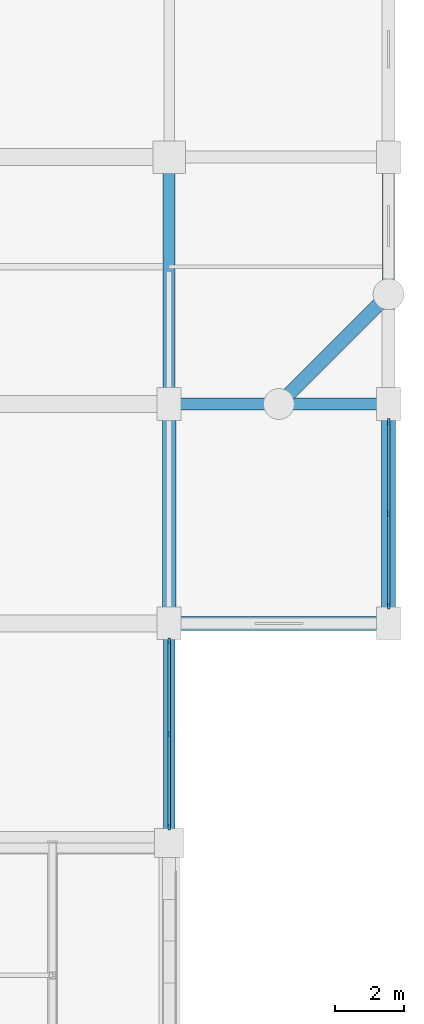
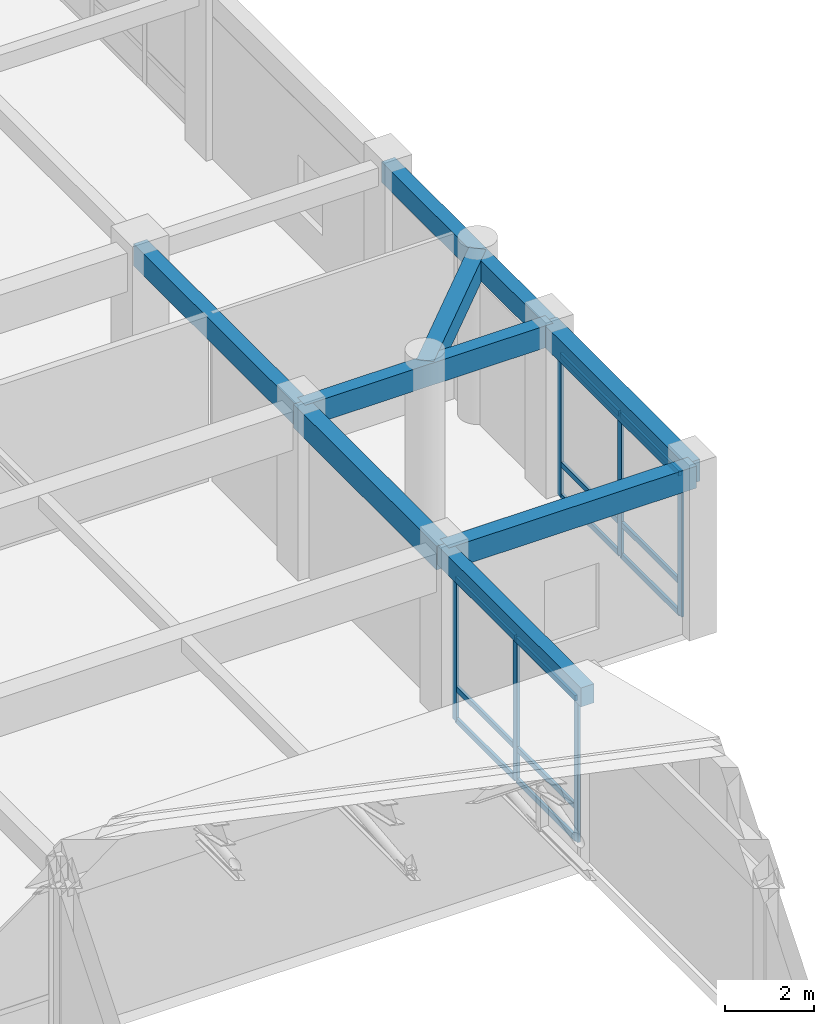
# One storey, part 32 of 61: 18 members, 8 beams, 2 elements without a shape of their own.
"""IFC4 building model written with IfcOpenShell, lengths in metres."""

from ifc_helpers import new_model, si_unit, direction, frame, origin, origin_2d, place, context, subcontext, project, spatial, rectangle, extrude, material, material_profile, profile_set, type_object, element, aggregate, save


model = new_model("IFC4")

# Units and contexts
model_context = context("Model", 3, precision=1e-05, world=origin(), true_north=direction((0.0, 1.0)))
body_context = subcontext(model_context, "Body", "Model", "MODEL_VIEW")
ifc_project = project(units=[si_unit("LENGTHUNIT", "METRE"), si_unit("AREAUNIT", "SQUARE_METRE"), si_unit("VOLUMEUNIT", "CUBIC_METRE"), si_unit("PLANEANGLEUNIT", "RADIAN"), si_unit("MASSUNIT", "GRAM", prefix="KILO")], contexts=[model_context])

# Site, building, storey
site_placement = place(None, origin())
site = spatial("IfcSite", under=ifc_project, at=site_placement, CompositionType="ELEMENT")
building_placement = place(site_placement, origin())
building = spatial("IfcBuilding", under=site, at=building_placement, Name="Vellmiral Cinema and Media Centre", CompositionType="ELEMENT")
storey_placement = place(building_placement, frame((0.0, 0.0, 10.800048828125)))
storey = spatial("IfcBuildingStorey", under=building, at=storey_placement, Name="L02", CompositionType="ELEMENT", Elevation=10.800048828125)

# Beams
ifc_material_1 = material(Name="Concrete C40/50", Category="concrete")
ifc_material_profile_1 = material_profile(ifc_material_1, rectangle(XDim=0.35009765625, YDim=0.60009765625, at=origin_2d()), Name="RC 350x600")
ifc_profile_set_1 = profile_set([ifc_material_profile_1], Name="Concrete C40/50")
beam_type_1 = type_object("IfcBeamType", Name="BM-RC-350x600", PredefinedType="BEAM", material=ifc_profile_set_1)
beam_1_placement = place(storey_placement, frame((161.60009765625, 72.0, 4.195068359375), z_axis=(1.0, 0.0, 0.0), x_axis=(0.0, 1.0, 0.0)))
element("IfcBeam", 1, at=beam_1_placement, inside=storey, type_object=beam_type_1, Name="Grid Beam L02-X046", PredefinedType="BEAM", context=body_context, shape_type="SweptSolid", body=[
    extrude(rectangle(XDim=0.35009765625, YDim=0.60009765625, at=origin_2d()), origin(), (0.0, 0.0, 1.0), 6.39990234375),
])
beam_2_placement = place(storey_placement, frame((161.60009765625, 72.0, 4.195068359375), z_axis=(0.0, 1.0, 0.0), x_axis=(-1.0, 0.0, 0.0)))
element("IfcBeam", 2, at=beam_2_placement, inside=storey, type_object=beam_type_1, Name="Grid Beam L02-Y188", PredefinedType="BEAM", context=body_context, shape_type="SweptSolid", body=[
    extrude(rectangle(XDim=0.35009765625, YDim=0.60009765625, at=origin_2d()), origin(), (0.0, 0.0, 1.0), 7.199951171875),
])
ifc_material_2 = material(Name="Concrete C40/50", Category="concrete")
ifc_material_profile_2 = material_profile(ifc_material_2, rectangle(XDim=0.39990234375, YDim=0.64990234375, at=origin_2d()), Name="RC 400x650")
ifc_profile_set_2 = profile_set([ifc_material_profile_2], Name="Concrete C40/50")
beam_type_2 = type_object("IfcBeamType", Name="BM-RC-400x650", PredefinedType="BEAM", material=ifc_profile_set_2)
beam_3_placement = place(storey_placement, frame((161.60009765625, 65.60009765625, 4.169921875), z_axis=(0.0, 1.0, 0.0), x_axis=(-1.0, 0.0, 0.0)))
element("IfcBeam", 3, at=beam_3_placement, inside=storey, type_object=beam_type_2, Name="Grid Beam L02-Y187", PredefinedType="BEAM", context=body_context, shape_type="SweptSolid", body=[
    extrude(rectangle(XDim=0.39990234375, YDim=0.64990234375, at=origin_2d()), origin(), (0.0, 0.0, 1.0), 6.39990234375),
])

# Curtain wall, members
ifc_material_3 = material(Name="Thermally Broken Aluminium and Triple Glazing", Category="aluminium")
curtain_wall_type = type_object("IfcCurtainWallType", Name="CW-LIB-BAY", PredefinedType="USERDEFINED", material=ifc_material_3)
curtain_wall_1_placement = place(storey_placement, origin())
curtain_wall_1 = element("IfcCurtainWall", 4, at=curtain_wall_1_placement, inside=storey, type_object=curtain_wall_type, Name="Curtain Wall L02-B041", ObjectType="STICK CURTAIN WALL", PredefinedType="USERDEFINED")
ifc_material_4 = material(Name="Thermally Broken Anodised Aluminium", Category="aluminium")
ifc_material_profile_3 = material_profile(ifc_material_4, rectangle(XDim=0.070068359375, YDim=0.179931640625, at=origin_2d()), Name="MULL 70x180")
ifc_profile_set_3 = profile_set([ifc_material_profile_3], Name="Thermally Broken Anodised Aluminium")
member_type_1 = type_object("IfcMemberType", Name="CWM-70x180", PredefinedType="MULLION", material=ifc_profile_set_3)
member_1_placement = place(storey_placement, frame((161.60009765625, 59.659912109375, 0.0), z_axis=(0.0, 0.0, 1.0), x_axis=(-1.0, 0.0, 0.0)))
member_1 = element("IfcMember", 5, at=member_1_placement, type_object=member_type_1, Name="CW-03 mullion 1", PredefinedType="MULLION", context=body_context, shape_type="SweptSolid", body=[
    extrude(rectangle(XDim=0.070068359375, YDim=0.179931640625, at=origin_2d()), origin(), (0.0, 0.0, 1.0), 3.89990234375),
])
member_2_placement = place(storey_placement, frame((161.60009765625, 62.375, 0.0), z_axis=(0.0, 0.0, 1.0), x_axis=(-1.0, 0.0, 0.0)))
member_2 = element("IfcMember", 6, at=member_2_placement, type_object=member_type_1, Name="CW-03 mullion 2", PredefinedType="MULLION", context=body_context, shape_type="SweptSolid", body=[
    extrude(rectangle(XDim=0.070068359375, YDim=0.179931640625, at=origin_2d()), origin(), (0.0, 0.0, 1.0), 3.89990234375),
])
member_3_placement = place(storey_placement, frame((161.60009765625, 65.090087890625, 0.0), z_axis=(0.0, 0.0, 1.0), x_axis=(-1.0, 0.0, 0.0)))
member_3 = element("IfcMember", 7, at=member_3_placement, type_object=member_type_1, Name="CW-03 mullion 3", PredefinedType="MULLION", context=body_context, shape_type="SweptSolid", body=[
    extrude(rectangle(XDim=0.070068359375, YDim=0.179931640625, at=origin_2d()), origin(), (0.0, 0.0, 1.0), 3.89990234375),
])

curtain_wall_2_placement = place(storey_placement, origin())
curtain_wall_2 = element("IfcCurtainWall", 8, at=curtain_wall_2_placement, inside=storey, type_object=curtain_wall_type, Name="Curtain Wall L02-B043", ObjectType="STICK CURTAIN WALL", PredefinedType="USERDEFINED")
member_4_placement = place(storey_placement, frame((168.0, 66.110107421875, 0.0), z_axis=(0.0, 0.0, 1.0), x_axis=(-1.0, 0.0, 0.0)))
member_4 = element("IfcMember", 9, at=member_4_placement, type_object=member_type_1, Name="CW-03 mullion 1", PredefinedType="MULLION", context=body_context, shape_type="SweptSolid", body=[
    extrude(rectangle(XDim=0.070068359375, YDim=0.179931640625, at=origin_2d()), origin(), (0.0, 0.0, 1.0), 3.885009765625),
])
member_5_placement = place(storey_placement, frame((168.0, 68.800048828125, 0.0), z_axis=(0.0, 0.0, 1.0), x_axis=(-1.0, 0.0, 0.0)))
member_5 = element("IfcMember", 10, at=member_5_placement, type_object=member_type_1, Name="CW-03 mullion 2", PredefinedType="MULLION", context=body_context, shape_type="SweptSolid", body=[
    extrude(rectangle(XDim=0.070068359375, YDim=0.179931640625, at=origin_2d()), origin(), (0.0, 0.0, 1.0), 3.885009765625),
])
member_6_placement = place(storey_placement, frame((168.0, 71.489990234375, 0.0), z_axis=(0.0, 0.0, 1.0), x_axis=(-1.0, 0.0, 0.0)))
member_6 = element("IfcMember", 11, at=member_6_placement, type_object=member_type_1, Name="CW-03 mullion 3", PredefinedType="MULLION", context=body_context, shape_type="SweptSolid", body=[
    extrude(rectangle(XDim=0.070068359375, YDim=0.179931640625, at=origin_2d()), origin(), (0.0, 0.0, 1.0), 3.885009765625),
])

# Member
ifc_material_5 = material(Name="Thermally Broken Anodised Aluminium", Category="aluminium")
ifc_material_profile_4 = material_profile(ifc_material_5, rectangle(XDim=0.070068359375, YDim=0.14990234375, at=origin_2d()), Name="MULL 70x150")
ifc_profile_set_4 = profile_set([ifc_material_profile_4], Name="Thermally Broken Anodised Aluminium")
member_type_2 = type_object("IfcMemberType", Name="CWT-70x150", PredefinedType="USERDEFINED", material=ifc_profile_set_4)
member_7_placement = place(storey_placement, frame((161.60009765625, 59.695068359375, 0.034912109375), z_axis=(0.0, 1.0, 0.0), x_axis=(-1.0, 0.0, 0.0)))
member_7 = element("IfcMember", 12, at=member_7_placement, type_object=member_type_2, Name="CW-03 transom 1.1", ObjectType="TRANSOM", PredefinedType="USERDEFINED", context=body_context, shape_type="SweptSolid", body=[
    extrude(rectangle(XDim=0.070068359375, YDim=0.14990234375, at=origin_2d()), origin(), (0.0, 0.0, 1.0), 2.64501953125),
])

member_8_placement = place(storey_placement, frame((161.60009765625, 59.695068359375, 0.89990234375), z_axis=(0.0, 1.0, 0.0), x_axis=(-1.0, 0.0, 0.0)))
member_8 = element("IfcMember", 13, at=member_8_placement, type_object=member_type_2, Name="CW-03 transom 1.2", ObjectType="TRANSOM", PredefinedType="USERDEFINED", context=body_context, shape_type="SweptSolid", body=[
    extrude(rectangle(XDim=0.070068359375, YDim=0.14990234375, at=origin_2d()), origin(), (0.0, 0.0, 1.0), 2.64501953125),
])

member_9_placement = place(storey_placement, frame((161.60009765625, 59.695068359375, 3.864990234375), z_axis=(0.0, 1.0, 0.0), x_axis=(-1.0, 0.0, 0.0)))
member_9 = element("IfcMember", 14, at=member_9_placement, type_object=member_type_2, Name="CW-03 transom 1.3", ObjectType="TRANSOM", PredefinedType="USERDEFINED", context=body_context, shape_type="SweptSolid", body=[
    extrude(rectangle(XDim=0.070068359375, YDim=0.14990234375, at=origin_2d()), origin(), (0.0, 0.0, 1.0), 2.64501953125),
])

member_10_placement = place(storey_placement, frame((161.60009765625, 62.409912109375, 0.034912109375), z_axis=(0.0, 1.0, 0.0), x_axis=(-1.0, 0.0, 0.0)))
member_10 = element("IfcMember", 15, at=member_10_placement, type_object=member_type_2, Name="CW-03 transom 2.1", ObjectType="TRANSOM", PredefinedType="USERDEFINED", context=body_context, shape_type="SweptSolid", body=[
    extrude(rectangle(XDim=0.070068359375, YDim=0.14990234375, at=origin_2d()), origin(), (0.0, 0.0, 1.0), 2.64501953125),
])

member_11_placement = place(storey_placement, frame((161.60009765625, 62.409912109375, 0.89990234375), z_axis=(0.0, 1.0, 0.0), x_axis=(-1.0, 0.0, 0.0)))
member_11 = element("IfcMember", 16, at=member_11_placement, type_object=member_type_2, Name="CW-03 transom 2.2", ObjectType="TRANSOM", PredefinedType="USERDEFINED", context=body_context, shape_type="SweptSolid", body=[
    extrude(rectangle(XDim=0.070068359375, YDim=0.14990234375, at=origin_2d()), origin(), (0.0, 0.0, 1.0), 2.64501953125),
])

member_12_placement = place(storey_placement, frame((161.60009765625, 62.409912109375, 3.864990234375), z_axis=(0.0, 1.0, 0.0), x_axis=(-1.0, 0.0, 0.0)))
member_12 = element("IfcMember", 17, at=member_12_placement, type_object=member_type_2, Name="CW-03 transom 2.3", ObjectType="TRANSOM", PredefinedType="USERDEFINED", context=body_context, shape_type="SweptSolid", body=[
    extrude(rectangle(XDim=0.070068359375, YDim=0.14990234375, at=origin_2d()), origin(), (0.0, 0.0, 1.0), 2.64501953125),
])

aggregate(curtain_wall_1, [member_1, member_2, member_3, member_7, member_8, member_9, member_10, member_11, member_12])

member_13_placement = place(storey_placement, frame((168.0, 66.14501953125, 0.034912109375), z_axis=(0.0, 1.0, 0.0), x_axis=(-1.0, 0.0, 0.0)))
member_13 = element("IfcMember", 18, at=member_13_placement, type_object=member_type_2, Name="CW-03 transom 1.1", ObjectType="TRANSOM", PredefinedType="USERDEFINED", context=body_context, shape_type="SweptSolid", body=[
    extrude(rectangle(XDim=0.070068359375, YDim=0.14990234375, at=origin_2d()), origin(), (0.0, 0.0, 1.0), 2.619873046875),
])

member_14_placement = place(storey_placement, frame((168.0, 66.14501953125, 0.89990234375), z_axis=(0.0, 1.0, 0.0), x_axis=(-1.0, 0.0, 0.0)))
member_14 = element("IfcMember", 19, at=member_14_placement, type_object=member_type_2, Name="CW-03 transom 1.2", ObjectType="TRANSOM", PredefinedType="USERDEFINED", context=body_context, shape_type="SweptSolid", body=[
    extrude(rectangle(XDim=0.070068359375, YDim=0.14990234375, at=origin_2d()), origin(), (0.0, 0.0, 1.0), 2.619873046875),
])

member_15_placement = place(storey_placement, frame((168.0, 66.14501953125, 3.849853515625), z_axis=(0.0, 1.0, 0.0), x_axis=(-1.0, 0.0, 0.0)))
member_15 = element("IfcMember", 20, at=member_15_placement, type_object=member_type_2, Name="CW-03 transom 1.3", ObjectType="TRANSOM", PredefinedType="USERDEFINED", context=body_context, shape_type="SweptSolid", body=[
    extrude(rectangle(XDim=0.070068359375, YDim=0.14990234375, at=origin_2d()), origin(), (0.0, 0.0, 1.0), 2.619873046875),
])

member_16_placement = place(storey_placement, frame((168.0, 68.8349609375, 0.034912109375), z_axis=(0.0, 1.0, 0.0), x_axis=(-1.0, 0.0, 0.0)))
member_16 = element("IfcMember", 21, at=member_16_placement, type_object=member_type_2, Name="CW-03 transom 2.1", ObjectType="TRANSOM", PredefinedType="USERDEFINED", context=body_context, shape_type="SweptSolid", body=[
    extrude(rectangle(XDim=0.070068359375, YDim=0.14990234375, at=origin_2d()), origin(), (0.0, 0.0, 1.0), 2.6201171875),
])

member_17_placement = place(storey_placement, frame((168.0, 68.8349609375, 0.89990234375), z_axis=(0.0, 1.0, 0.0), x_axis=(-1.0, 0.0, 0.0)))
member_17 = element("IfcMember", 22, at=member_17_placement, type_object=member_type_2, Name="CW-03 transom 2.2", ObjectType="TRANSOM", PredefinedType="USERDEFINED", context=body_context, shape_type="SweptSolid", body=[
    extrude(rectangle(XDim=0.070068359375, YDim=0.14990234375, at=origin_2d()), origin(), (0.0, 0.0, 1.0), 2.6201171875),
])

member_18_placement = place(storey_placement, frame((168.0, 68.8349609375, 3.849853515625), z_axis=(0.0, 1.0, 0.0), x_axis=(-1.0, 0.0, 0.0)))
member_18 = element("IfcMember", 23, at=member_18_placement, type_object=member_type_2, Name="CW-03 transom 2.3", ObjectType="TRANSOM", PredefinedType="USERDEFINED", context=body_context, shape_type="SweptSolid", body=[
    extrude(rectangle(XDim=0.070068359375, YDim=0.14990234375, at=origin_2d()), origin(), (0.0, 0.0, 1.0), 2.6201171875),
])

aggregate(curtain_wall_2, [member_4, member_5, member_6, member_13, member_14, member_15, member_16, member_17, member_18])

# Beams
ifc_material_6 = material(Name="Concrete C40/50", Category="concrete")
ifc_material_profile_5 = material_profile(ifc_material_6, rectangle(XDim=0.35009765625, YDim=0.56005859375, at=origin_2d()), Name="RC 350x560")
ifc_profile_set_5 = profile_set([ifc_material_profile_5], Name="Concrete C40/50")
beam_type_3 = type_object("IfcBeamType", Name="SPD-RC-350x560", PredefinedType="SPANDREL", material=ifc_profile_set_5)
beam_4_placement = place(storey_placement, frame((168.0, 72.0, 4.21484375), z_axis=(0.0, 1.0, 0.0), x_axis=(-1.0, 0.0, 0.0)))
element("IfcBeam", 24, at=beam_4_placement, inside=storey, type_object=beam_type_3, Name="Grid Beam L02-Y194", PredefinedType="SPANDREL", context=body_context, shape_type="SweptSolid", body=[
    extrude(rectangle(XDim=0.35009765625, YDim=0.56005859375, at=origin_2d()), origin(), (0.0, 0.0, 1.0), 7.199951171875),
])
ifc_material_7 = material(Name="Concrete C40/50", Category="concrete")
ifc_material_profile_6 = material_profile(ifc_material_7, rectangle(XDim=0.39990234375, YDim=0.60009765625, at=origin_2d()), Name="RC 400x600")
ifc_profile_set_6 = profile_set([ifc_material_profile_6], Name="Concrete C40/50")
beam_type_4 = type_object("IfcBeamType", Name="SPD-RC-400x600", PredefinedType="SPANDREL", material=ifc_profile_set_6)
for number, where, z_axis, x_axis, name in (
    (25, (161.60009765625, 65.60009765625, 4.195068359375), (1.0, 0.0, 0.0), (0.0, 1.0, 0.0), "Grid Beam L02-X033"),
    (26, (168.0, 65.60009765625, 4.195068359375), (0.0, 1.0, 0.0), (-1.0, 0.0, 0.0), "Grid Beam L02-Y193"),
):
    element("IfcBeam", number, at=place(storey_placement, frame(where, z_axis=z_axis, x_axis=x_axis)), inside=storey, type_object=beam_type_4, Name=name, PredefinedType="SPANDREL", context=body_context, shape_type="SweptSolid", body=[
        extrude(rectangle(XDim=0.39990234375, YDim=0.60009765625, at=origin_2d()), origin(), (0.0, 0.0, 1.0), 6.39990234375),
    ])
beam_5_placement = place(storey_placement, frame((164.800048828125, 72.0, 4.195068359375), z_axis=(0.707106781187, 0.707106781187, 0.0), x_axis=(-0.707106781187, 0.707106781187, 0.0)))
element("IfcBeam", 27, at=beam_5_placement, inside=storey, type_object=beam_type_4, Name="Xamfra Chamfer Spandrel Beam L02-200", PredefinedType="SPANDREL", context=body_context, shape_type="SweptSolid", body=[
    extrude(rectangle(XDim=0.39990234375, YDim=0.60009765625, at=origin_2d()), origin(), (0.0, 0.0, 1.0), 4.525390625),
])
ifc_material_8 = material(Name="Vosges Red Sandstone Masonry", Category="masonry")
ifc_material_profile_7 = material_profile(ifc_material_8, rectangle(XDim=0.340087890625, YDim=0.52001953125, at=origin_2d()), Name="SAND 340x520")
ifc_profile_set_7 = profile_set([ifc_material_profile_7], Name="Vosges Red Sandstone Masonry")
beam_type_5 = type_object("IfcBeamType", Name="SPD-SAND-340x520", PredefinedType="SPANDREL", material=ifc_profile_set_7)
beam_6_placement = place(storey_placement, frame((161.60009765625, 59.199951171875, 4.23486328125), z_axis=(0.0, 1.0, 0.0), x_axis=(-1.0, 0.0, 0.0)))
element("IfcBeam", 28, at=beam_6_placement, inside=storey, type_object=beam_type_5, Name="Grid Beam L02-Y186", PredefinedType="SPANDREL", context=body_context, shape_type="SweptSolid", body=[
    extrude(rectangle(XDim=0.340087890625, YDim=0.52001953125, at=origin_2d()), origin(), (0.0, 0.0, 1.0), 6.400146484375),
])

save(model, "model.ifc")
